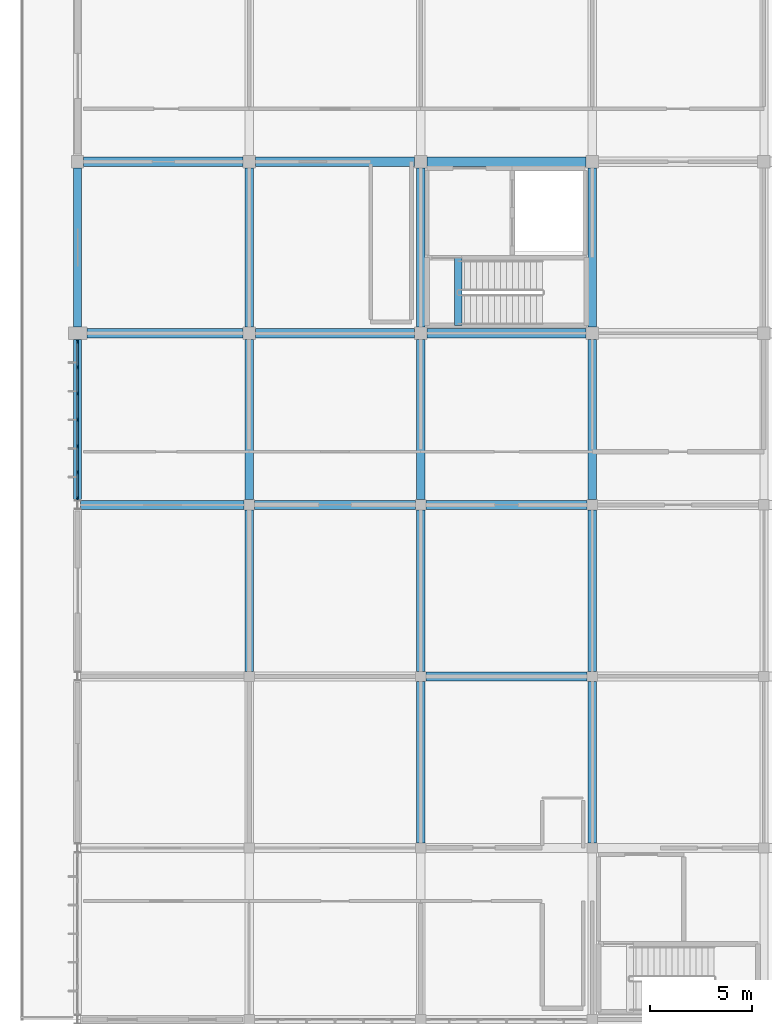
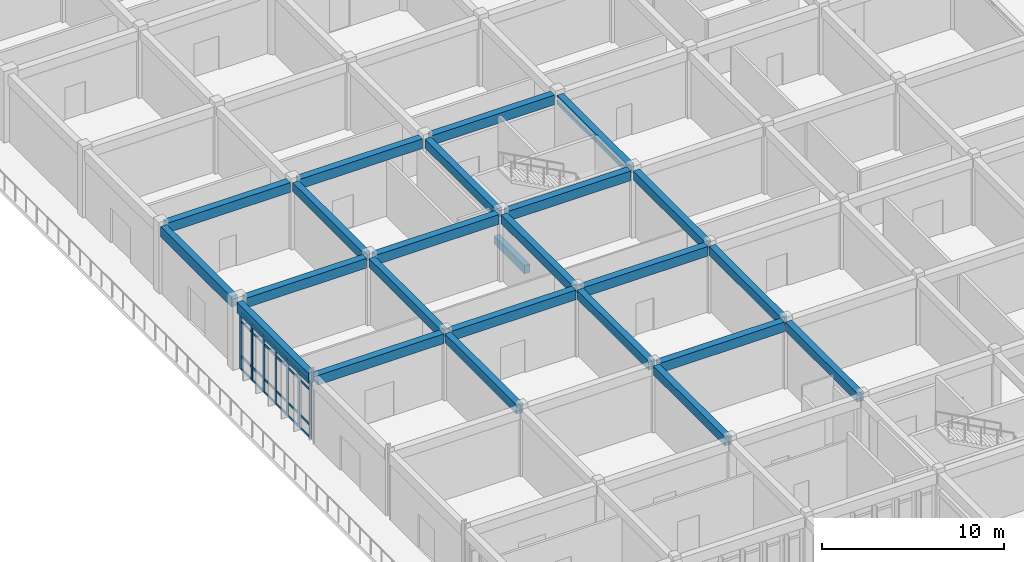
# One storey, part 16 of 138: 31 members, 24 beams, 1 element without a shape of its own.
"""IFC4 building model written with IfcOpenShell, lengths in metres."""

import ifcopenshell
import ifcopenshell.guid

model = None  # the IFC model being written
_history = None  # IfcOwnerHistory: only IFC2X3 demands one
_inside = {}  # id of a spatial element -> (the spatial element, [elements in it])
_under = {}  # id of a project, library or spatial element -> (it, [spatial elements below it])
_declared = {}  # id of a project -> (the project, [libraries it declares])
_typed = {}  # id of a type object -> (the type object, [elements of that type])
_made_of = {}  # id of a material, layer set ... -> (it, [elements and type objects made of it])


def new_model(schema):
    """Start an empty IFC model of exactly this schema.

    Asked for "IFC4X3", IfcOpenShell would pick the latest addendum, in which some entities
    have other attributes; the version numbers below select the first issue.
    IFC2X3 requires an IfcOwnerHistory on every rooted entity: one is made here for all.
    """
    global model, _history
    if schema == "IFC4X3":
        model = ifcopenshell.file(schema_version=(4, 3, 0, 0))
    else:
        model = ifcopenshell.file(schema=schema)
    _inside.clear()
    _under.clear()
    _declared.clear()
    _typed.clear()
    _made_of.clear()
    _history = None
    if model.schema == "IFC2X3":
        org = make("IfcOrganization", Name="unknown")
        user = make(
            "IfcPersonAndOrganization",
            ThePerson=make("IfcPerson", FamilyName="unknown"),
            TheOrganization=org,
        )
        app = make(
            "IfcApplication",
            ApplicationDeveloper=org,
            Version="unknown",
            ApplicationFullName="unknown",
            ApplicationIdentifier="unknown",
        )
        _history = make(
            "IfcOwnerHistory",
            OwningUser=user,
            OwningApplication=app,
            ChangeAction="ADDED",
            CreationDate=0,
        )
    return model


def make(cls, **values):
    """One entity of the class cls with the attributes given. An attribute that is None is left unset."""
    return model.create_entity(
        cls, **{name: value for name, value in values.items() if value is not None}
    )


def rooted(cls, **values):
    """An entity with a GlobalId (a new one), such as an element, a storey or a relation."""
    return make(cls, GlobalId=ifcopenshell.guid.new(), OwnerHistory=_history, **values)


def si_unit(unit_type, name, prefix=None):
    """IfcSIUnit, for example si_unit("LENGTHUNIT", "METRE", prefix="MILLI")."""
    return make("IfcSIUnit", UnitType=unit_type, Prefix=prefix, Name=name)


def assignment(units):
    """IfcUnitAssignment: the units of a project."""
    return None if units is None else make("IfcUnitAssignment", Units=units)


def point(xyz):
    """IfcCartesianPoint."""
    return None if xyz is None else make("IfcCartesianPoint", Coordinates=xyz)


def direction(xyz):
    """IfcDirection."""
    return None if xyz is None else make("IfcDirection", DirectionRatios=xyz)


def frame(location, z_axis=None, x_axis=None):
    """IfcAxis2Placement3D, a coordinate frame: its origin and axes. An axis left out is left unset."""
    return make(
        "IfcAxis2Placement3D",
        Location=point(location),
        Axis=direction(z_axis),
        RefDirection=direction(x_axis),
    )


def frame_2d(location, x_axis=None):
    """IfcAxis2Placement2D, a coordinate frame in the plane: its origin and x axis."""
    return make(
        "IfcAxis2Placement2D", Location=point(location), RefDirection=direction(x_axis)
    )


def origin():
    """The frame at (0, 0, 0) with its axes left unset."""
    return frame((0.0, 0.0, 0.0))


def origin_2d():
    """The frame at (0, 0) in the plane with its x axis left unset."""
    return frame_2d((0.0, 0.0))


def place(relative_to, where):
    """IfcLocalPlacement: puts the frame where relative to a parent placement (None: the world)."""
    return make(
        "IfcLocalPlacement", PlacementRelTo=relative_to, RelativePlacement=where
    )


def context(
    kind, dimensions, precision=None, world=None, true_north=None, identifier=None
):
    """IfcGeometricRepresentationContext, for example the 3D "Model" context."""
    return make(
        "IfcGeometricRepresentationContext",
        ContextIdentifier=identifier,
        ContextType=kind,
        CoordinateSpaceDimension=dimensions,
        Precision=precision,
        WorldCoordinateSystem=world,
        TrueNorth=true_north,
    )


def subcontext(parent, identifier, kind, view, scale=None):
    """IfcGeometricRepresentationSubContext, for example "Body" below "Model"."""
    return make(
        "IfcGeometricRepresentationSubContext",
        ContextIdentifier=identifier,
        ContextType=kind,
        ParentContext=parent,
        TargetScale=scale,
        TargetView=view,
    )


def project(units=None, contexts=None):
    """IfcProject with its units and contexts."""
    return rooted(
        "IfcProject",
        Name="project",
        RepresentationContexts=contexts,
        UnitsInContext=assignment(units),
    )


def spatial(cls, under=None, at=None, **own):
    """A site, building, storey or space (cls), placed at a placement, below another one or the project."""
    s = rooted(cls, ObjectPlacement=at, **own)
    if under is not None:
        _under.setdefault(under.id(), (under, []))[1].append(s)
    return s


def profile(cls, at=None, kind="AREA", **sizes):
    """A parametric profile (cls). Its sizes go by their IFC names, for example OverallWidth=200.0."""
    return make(cls, ProfileType=kind, Position=at, **sizes)


def rectangle(**sizes):
    """IfcRectangleProfileDef."""
    return profile("IfcRectangleProfileDef", **sizes)


def extrude(swept, where, along, depth):
    """IfcExtrudedAreaSolid: the profile swept, set in the frame where, extruded along a direction by depth."""
    return make(
        "IfcExtrudedAreaSolid",
        SweptArea=swept,
        Position=where,
        ExtrudedDirection=direction(along),
        Depth=depth,
    )


def shape(context_of_items, identifier, shape_type, items):
    """IfcShapeRepresentation: the items that make up one representation, for example the "Body"."""
    return make(
        "IfcShapeRepresentation",
        ContextOfItems=context_of_items,
        RepresentationIdentifier=identifier,
        RepresentationType=shape_type,
        Items=items,
    )


def material(Name=None, Category=None):
    """IfcMaterial."""
    return make("IfcMaterial", Name=Name, Category=Category)


def layer(
    of_material, thickness, ventilated=None, Name=None, Category=None, Priority=None
):
    """IfcMaterialLayer: one layer of a wall or slab, of a material (None: an air gap)."""
    return make(
        "IfcMaterialLayer",
        Material=of_material,
        LayerThickness=thickness,
        IsVentilated=ventilated,
        Name=Name,
        Category=Category,
        Priority=Priority,
    )


def layer_set(layers, Name=None):
    """IfcMaterialLayerSet."""
    return make("IfcMaterialLayerSet", MaterialLayers=layers, LayerSetName=Name)


def material_profile(
    of_material, cross_section, Name=None, Category=None, Priority=None
):
    """IfcMaterialProfile: a cross section and its material."""
    return make(
        "IfcMaterialProfile",
        Name=Name,
        Material=of_material,
        Profile=cross_section,
        Priority=Priority,
        Category=Category,
    )


def profile_set(profiles, Name=None, composite=None):
    """IfcMaterialProfileSet."""
    return make(
        "IfcMaterialProfileSet",
        Name=Name,
        MaterialProfiles=profiles,
        CompositeProfile=composite,
    )


def made_of(thing, what):
    """Note that an element or type object is made of a material, layer set ...; save() writes the relation."""
    if what is not None:
        _made_of.setdefault(what.id(), (what, []))[1].append(thing)
    return thing


def type_object(cls, material=None, **own):
    """A type object (cls), such as IfcWallType, which elements share."""
    return made_of(rooted(cls, **own), material)


def element(
    cls,
    number,
    at=None,
    inside=None,
    cuts=None,
    type_object=None,
    material=None,
    context=None,
    identifier="Body",
    shape_type=None,
    held_by="IfcProductDefinitionShape",
    body=None,
    shapes=None,
    **own,
):
    """One element of the class cls, such as IfcWall. Its Tag is "e" and its number.

    at: its placement. inside: the storey or other place that contains it. cuts: it is an
    opening in that element (IfcRelVoidsElement). A single representation is given by context,
    identifier, shape_type and body (its items); several are given by shapes. held_by: the class
    of the entity that holds the representations. save() writes the other relations.
    """
    e = rooted(cls, Tag="e%d" % number, ObjectPlacement=at, **own)
    if body is not None:
        shapes = [shape(context, identifier, shape_type, body)]
    if shapes is not None:
        e.Representation = make(held_by, Representations=shapes)
    if inside is not None:
        _inside.setdefault(inside.id(), (inside, []))[1].append(e)
    if cuts is not None:
        rooted(
            "IfcRelVoidsElement", RelatingBuildingElement=cuts, RelatedOpeningElement=e
        )
    if type_object is not None:
        _typed.setdefault(type_object.id(), (type_object, []))[1].append(e)
    return made_of(e, material)


def aggregate(whole, parts):
    """IfcRelAggregates: a whole, such as a stair, and the parts it consists of."""
    return rooted("IfcRelAggregates", RelatingObject=whole, RelatedObjects=parts)


def save(model, path):
    """Write the relations noted so far, then the file.

    IfcRelAggregates (storeys below a building ...), IfcRelContainedInSpatialStructure (elements
    in a storey), IfcRelDefinesByType, IfcRelAssociatesMaterial and IfcRelDeclares: one each for
    every whole, place, type object, material and project.
    """
    for whole, parts in _under.values():
        aggregate(whole, parts)
    for where, things in _inside.values():
        rooted(
            "IfcRelContainedInSpatialStructure",
            RelatedElements=things,
            RelatingStructure=where,
        )
    for kind, things in _typed.values():
        rooted("IfcRelDefinesByType", RelatedObjects=things, RelatingType=kind)
    for what, things in _made_of.values():
        rooted("IfcRelAssociatesMaterial", RelatedObjects=things, RelatingMaterial=what)
    for by, libraries in _declared.values():
        rooted("IfcRelDeclares", RelatingContext=by, RelatedDefinitions=libraries)
    model.write(path)


model = new_model("IFC4")

# Units and contexts
model_context = context("Model", 3, precision=1e-05, world=origin(), true_north=direction((0.0, 1.0)))
body_context = subcontext(model_context, "Body", "Model", "MODEL_VIEW")
ifc_project = project(units=[si_unit("LENGTHUNIT", "METRE"), si_unit("AREAUNIT", "SQUARE_METRE"), si_unit("VOLUMEUNIT", "CUBIC_METRE"), si_unit("PLANEANGLEUNIT", "RADIAN"), si_unit("MASSUNIT", "GRAM", prefix="KILO")], contexts=[model_context])

# Site, building, storey
site_placement = place(None, origin())
site = spatial("IfcSite", under=ifc_project, at=site_placement, CompositionType="ELEMENT")
building_placement = place(site_placement, origin())
building = spatial("IfcBuilding", under=site, at=building_placement, Name="Bramfleet General Hospital", CompositionType="ELEMENT")
storey_placement = place(building_placement, origin())
storey = spatial("IfcBuildingStorey", under=building, at=storey_placement, Name="L00", CompositionType="ELEMENT", Elevation=0.0)

# Beams
ifc_material_1 = material(Name="Concrete C35/45", Category="concrete")
ifc_material_profile_1 = material_profile(ifc_material_1, rectangle(XDim=0.35009765625, YDim=0.550048828125, at=origin_2d()), Name="RC BM 550x350")
ifc_profile_set_1 = profile_set([ifc_material_profile_1], Name="Concrete C35/45")
beam_type_1 = type_object("IfcBeamType", Name="BM-RC550", PredefinedType="BEAM", material=ifc_profile_set_1)
beam_1_placement = place(storey_placement, frame((18.639892578125, 50.780029296875, -0.27490234375), z_axis=(0.0, 1.0, 0.0), x_axis=(-1.0, 0.0, 0.0)))
element("IfcBeam", 1, at=beam_1_placement, inside=storey, type_object=beam_type_1, Name="L00 C2 Stairwell Trimmer Beam", PredefinedType="BEAM", context=body_context, shape_type="SweptSolid", body=[
    extrude(rectangle(XDim=0.35009765625, YDim=0.550048828125, at=origin_2d()), origin(), (0.0, 0.0, 1.0), 3.320068359375),
])
ifc_material_profile_2 = material_profile(ifc_material_1, rectangle(XDim=0.39990234375, YDim=0.60009765625, at=origin_2d()), Name="RC BM 600x400")
ifc_profile_set_2 = profile_set([ifc_material_profile_2], Name="Concrete C35/45")
beam_type_2 = type_object("IfcBeamType", Name="BM-RC600", PredefinedType="BEAM", material=ifc_profile_set_2)
beam_2_placement = place(storey_placement, frame((8.39990234375, 33.85009765625, 4.199951171875), z_axis=(0.0, 1.0, 0.0), x_axis=(-1.0, 0.0, 0.0)))
element("IfcBeam", 2, at=beam_2_placement, inside=storey, type_object=beam_type_2, Name="L00 Grid Beam Y 01-04", PredefinedType="BEAM", context=body_context, shape_type="SweptSolid", body=[
    extrude(rectangle(XDim=0.39990234375, YDim=0.60009765625, at=origin_2d()), origin(), (0.0, 0.0, 1.0), 7.89990234375),
])
beam_3_placement = place(storey_placement, frame((8.39990234375, 42.25, 4.199951171875), z_axis=(0.0, 1.0, 0.0), x_axis=(-1.0, 0.0, 0.0)))
element("IfcBeam", 3, at=beam_3_placement, inside=storey, type_object=beam_type_2, Name="L00 Grid Beam Y 01-05", PredefinedType="BEAM", context=body_context, shape_type="SweptSolid", body=[
    extrude(rectangle(XDim=0.39990234375, YDim=0.60009765625, at=origin_2d()), origin(), (0.0, 0.0, 1.0), 7.85009765625),
])
beam_4_placement = place(storey_placement, frame((8.39990234375, 50.699951171875, 4.199951171875), z_axis=(0.0, 1.0, 0.0), x_axis=(-1.0, 0.0, 0.0)))
element("IfcBeam", 4, at=beam_4_placement, inside=storey, type_object=beam_type_2, Name="L00 Grid Beam Y 01-06", PredefinedType="BEAM", context=body_context, shape_type="SweptSolid", body=[
    extrude(rectangle(XDim=0.39990234375, YDim=0.60009765625, at=origin_2d()), origin(), (0.0, 0.0, 1.0), 7.800048828125),
])
beam_5_placement = place(storey_placement, frame((16.800048828125, 25.449951171875, 4.199951171875), z_axis=(0.0, 1.0, 0.0), x_axis=(-1.0, 0.0, 0.0)))
element("IfcBeam", 5, at=beam_5_placement, inside=storey, type_object=beam_type_2, Name="L00 Grid Beam Y 02-03", PredefinedType="BEAM", context=body_context, shape_type="SweptSolid", body=[
    extrude(rectangle(XDim=0.39990234375, YDim=0.60009765625, at=origin_2d()), origin(), (0.0, 0.0, 1.0), 7.900146484375),
])
beam_6_placement = place(storey_placement, frame((16.800048828125, 33.85009765625, 4.199951171875), z_axis=(0.0, 1.0, 0.0), x_axis=(-1.0, 0.0, 0.0)))
element("IfcBeam", 6, at=beam_6_placement, inside=storey, type_object=beam_type_2, Name="L00 Grid Beam Y 02-04", PredefinedType="BEAM", context=body_context, shape_type="SweptSolid", body=[
    extrude(rectangle(XDim=0.39990234375, YDim=0.60009765625, at=origin_2d()), origin(), (0.0, 0.0, 1.0), 7.89990234375),
])
beam_7_placement = place(storey_placement, frame((16.800048828125, 42.25, 4.199951171875), z_axis=(0.0, 1.0, 0.0), x_axis=(-1.0, 0.0, 0.0)))
element("IfcBeam", 7, at=beam_7_placement, inside=storey, type_object=beam_type_2, Name="L00 Grid Beam Y 02-05", PredefinedType="BEAM", context=body_context, shape_type="SweptSolid", body=[
    extrude(rectangle(XDim=0.39990234375, YDim=0.60009765625, at=origin_2d()), origin(), (0.0, 0.0, 1.0), 7.85009765625),
])
beam_8_placement = place(storey_placement, frame((16.800048828125, 50.699951171875, 4.199951171875), z_axis=(0.0, 1.0, 0.0), x_axis=(-1.0, 0.0, 0.0)))
element("IfcBeam", 8, at=beam_8_placement, inside=storey, type_object=beam_type_2, Name="L00 Grid Beam Y 02-06", PredefinedType="BEAM", context=body_context, shape_type="SweptSolid", body=[
    extrude(rectangle(XDim=0.39990234375, YDim=0.60009765625, at=origin_2d()), origin(), (0.0, 0.0, 1.0), 7.800048828125),
])
beam_9_placement = place(storey_placement, frame((25.199951171875, 25.449951171875, 4.199951171875), z_axis=(0.0, 1.0, 0.0), x_axis=(-1.0, 0.0, 0.0)))
element("IfcBeam", 9, at=beam_9_placement, inside=storey, type_object=beam_type_2, Name="L00 Grid Beam Y 03-03", PredefinedType="BEAM", context=body_context, shape_type="SweptSolid", body=[
    extrude(rectangle(XDim=0.39990234375, YDim=0.60009765625, at=origin_2d()), origin(), (0.0, 0.0, 1.0), 7.900146484375),
])
beam_10_placement = place(storey_placement, frame((25.199951171875, 33.85009765625, 4.199951171875), z_axis=(0.0, 1.0, 0.0), x_axis=(-1.0, 0.0, 0.0)))
element("IfcBeam", 10, at=beam_10_placement, inside=storey, type_object=beam_type_2, Name="L00 Grid Beam Y 03-04", PredefinedType="BEAM", context=body_context, shape_type="SweptSolid", body=[
    extrude(rectangle(XDim=0.39990234375, YDim=0.60009765625, at=origin_2d()), origin(), (0.0, 0.0, 1.0), 7.89990234375),
])
beam_11_placement = place(storey_placement, frame((25.199951171875, 42.25, 4.199951171875), z_axis=(0.0, 1.0, 0.0), x_axis=(-1.0, 0.0, 0.0)))
element("IfcBeam", 11, at=beam_11_placement, inside=storey, type_object=beam_type_2, Name="L00 Grid Beam Y 03-05", PredefinedType="BEAM", context=body_context, shape_type="SweptSolid", body=[
    extrude(rectangle(XDim=0.39990234375, YDim=0.60009765625, at=origin_2d()), origin(), (0.0, 0.0, 1.0), 7.85009765625),
])
beam_12_placement = place(storey_placement, frame((25.199951171875, 50.699951171875, 4.199951171875), z_axis=(0.0, 1.0, 0.0), x_axis=(-1.0, 0.0, 0.0)))
element("IfcBeam", 12, at=beam_12_placement, inside=storey, type_object=beam_type_2, Name="L00 Grid Beam Y 03-06", PredefinedType="BEAM", context=body_context, shape_type="SweptSolid", body=[
    extrude(rectangle(XDim=0.39990234375, YDim=0.60009765625, at=origin_2d()), origin(), (0.0, 0.0, 1.0), 7.800048828125),
])
ifc_material_profile_3 = material_profile(ifc_material_1, rectangle(XDim=0.449951171875, YDim=0.64990234375, at=origin_2d()), Name="RC BM 650x450")
ifc_profile_set_3 = profile_set([ifc_material_profile_3], Name="Concrete C35/45")
beam_type_3 = type_object("IfcBeamType", Name="BM-RC650", PredefinedType="BEAM", material=ifc_profile_set_3)
beam_13_placement = place(storey_placement, frame((0.14990234375, 42.0, 4.175048828125), z_axis=(1.0, 0.0, 0.0), x_axis=(0.0, 1.0, 0.0)))
element("IfcBeam", 13, at=beam_13_placement, inside=storey, type_object=beam_type_3, Name="L00 Grid Beam X 00-05", PredefinedType="BEAM", context=body_context, shape_type="SweptSolid", body=[
    extrude(rectangle(XDim=0.449951171875, YDim=0.64990234375, at=origin_2d()), origin(), (0.0, 0.0, 1.0), 8.0),
])
beam_14_placement = place(storey_placement, frame((0.449951171875, 50.39990234375, 4.175048828125), z_axis=(1.0, 0.0, 0.0), x_axis=(0.0, 1.0, 0.0)))
element("IfcBeam", 14, at=beam_14_placement, inside=storey, type_object=beam_type_3, Name="L00 Grid Beam X 00-06", PredefinedType="BEAM", context=body_context, shape_type="SweptSolid", body=[
    extrude(rectangle(XDim=0.449951171875, YDim=0.64990234375, at=origin_2d()), origin(), (0.0, 0.0, 1.0), 7.650146484375),
])
beam_15_placement = place(storey_placement, frame((0.300048828125, 58.800048828125, 4.175048828125), z_axis=(1.0, 0.0, 0.0), x_axis=(0.0, 1.0, 0.0)))
element("IfcBeam", 15, at=beam_15_placement, inside=storey, type_object=beam_type_3, Name="L00 Grid Beam X 00-07", PredefinedType="BEAM", context=body_context, shape_type="SweptSolid", body=[
    extrude(rectangle(XDim=0.449951171875, YDim=0.64990234375, at=origin_2d()), origin(), (0.0, 0.0, 1.0), 7.800048828125),
])
beam_16_placement = place(storey_placement, frame((8.64990234375, 42.0, 4.175048828125), z_axis=(1.0, 0.0, 0.0), x_axis=(0.0, 1.0, 0.0)))
element("IfcBeam", 16, at=beam_16_placement, inside=storey, type_object=beam_type_3, Name="L00 Grid Beam X 01-05", PredefinedType="BEAM", context=body_context, shape_type="SweptSolid", body=[
    extrude(rectangle(XDim=0.449951171875, YDim=0.64990234375, at=origin_2d()), origin(), (0.0, 0.0, 1.0), 7.900146484375),
])
for number, where, z_axis, x_axis, name in (
    (17, (8.699951171875, 50.39990234375, 4.175048828125), (1.0, 0.0, 0.0), (0.0, 1.0, 0.0), "L00 Grid Beam X 01-06"),
    (18, (8.699951171875, 58.800048828125, 4.175048828125), (1.0, 0.0, 0.0), (0.0, 1.0, 0.0), "L00 Grid Beam X 01-07"),
):
    element("IfcBeam", number, at=place(storey_placement, frame(where, z_axis=z_axis, x_axis=x_axis)), inside=storey, type_object=beam_type_3, Name=name, PredefinedType="BEAM", context=body_context, shape_type="SweptSolid", body=[
        extrude(rectangle(XDim=0.449951171875, YDim=0.64990234375, at=origin_2d()), origin(), (0.0, 0.0, 1.0), 7.800048828125),
    ])
for number, where, z_axis, x_axis, name in (
    (19, (17.050048828125, 33.60009765625, 4.175048828125), (1.0, 0.0, 0.0), (0.0, 1.0, 0.0), "L00 Grid Beam X 02-04"),
    (20, (17.050048828125, 42.0, 4.175048828125), (1.0, 0.0, 0.0), (0.0, 1.0, 0.0), "L00 Grid Beam X 02-05"),
):
    element("IfcBeam", number, at=place(storey_placement, frame(where, z_axis=z_axis, x_axis=x_axis)), inside=storey, type_object=beam_type_3, Name=name, PredefinedType="BEAM", context=body_context, shape_type="SweptSolid", body=[
        extrude(rectangle(XDim=0.449951171875, YDim=0.64990234375, at=origin_2d()), origin(), (0.0, 0.0, 1.0), 7.89990234375),
    ])
for number, where, z_axis, x_axis, name in (
    (21, (17.10009765625, 50.39990234375, 4.175048828125), (1.0, 0.0, 0.0), (0.0, 1.0, 0.0), "L00 Grid Beam X 02-06"),
    (22, (17.10009765625, 58.800048828125, 4.175048828125), (1.0, 0.0, 0.0), (0.0, 1.0, 0.0), "L00 Grid Beam X 02-07"),
):
    element("IfcBeam", number, at=place(storey_placement, frame(where, z_axis=z_axis, x_axis=x_axis)), inside=storey, type_object=beam_type_3, Name=name, PredefinedType="BEAM", context=body_context, shape_type="SweptSolid", body=[
        extrude(rectangle(XDim=0.449951171875, YDim=0.64990234375, at=origin_2d()), origin(), (0.0, 0.0, 1.0), 7.7998046875),
    ])
ifc_material_profile_4 = material_profile(ifc_material_1, rectangle(XDim=0.39990234375, YDim=0.699951171875, at=origin_2d()), Name="RC SP 700x400")
ifc_profile_set_4 = profile_set([ifc_material_profile_4], Name="Concrete C35/45")
beam_type_4 = type_object("IfcBeamType", Name="BM-SP700", PredefinedType="SPANDREL", material=ifc_profile_set_4)
beam_17_placement = place(storey_placement, frame((0.0, 42.22509765625, 4.14990234375), z_axis=(0.0, 1.0, 0.0), x_axis=(-1.0, 0.0, 0.0)))
element("IfcBeam", 23, at=beam_17_placement, inside=storey, type_object=beam_type_4, Name="L00 Grid Beam Y 00-05", PredefinedType="SPANDREL", context=body_context, shape_type="SweptSolid", body=[
    extrude(rectangle(XDim=0.39990234375, YDim=0.699951171875, at=origin_2d()), origin(), (0.0, 0.0, 1.0), 7.875),
])
beam_18_placement = place(storey_placement, frame((0.0, 50.699951171875, 4.14990234375), z_axis=(0.0, 1.0, 0.0), x_axis=(-1.0, 0.0, 0.0)))
element("IfcBeam", 24, at=beam_18_placement, inside=storey, type_object=beam_type_4, Name="L00 Grid Beam Y 00-06", PredefinedType="SPANDREL", context=body_context, shape_type="SweptSolid", body=[
    extrude(rectangle(XDim=0.39990234375, YDim=0.699951171875, at=origin_2d()), origin(), (0.0, 0.0, 1.0), 7.800048828125),
])

# Curtain wall, members
ifc_material_2 = material(Name="Anodised aluminium and low-E triple glazing", Category="aluminium")
ifc_layer = layer(ifc_material_2, 0.179931640625, Name="CWT-CW-01")
ifc_layer_set = layer_set([ifc_layer], Name="Anodised aluminium and low-E triple glazing")
curtain_wall_type = type_object("IfcCurtainWallType", Name="CWT-CW-01", PredefinedType="USERDEFINED", material=ifc_layer_set)
curtain_wall_placement = place(storey_placement, origin())
curtain_wall = element("IfcCurtainWall", 25, at=curtain_wall_placement, inside=storey, type_object=curtain_wall_type, Name="L00 Curtain Wall 1", ObjectType="Unitised curtain wall", PredefinedType="USERDEFINED")
ifc_material_3 = material(Name="Structural timber GL28h", Category="wood")
ifc_material_profile_5 = material_profile(ifc_material_3, rectangle(XDim=0.070068359375, YDim=0.18994140625, at=origin_2d()), Name="LARCH 190x70")
ifc_profile_set_5 = profile_set([ifc_material_profile_5], Name="Structural timber GL28h")
member_type_1 = type_object("IfcMemberType", Name="CWM-LARCH450", PredefinedType="MULLION", material=ifc_profile_set_5)
member_1_placement = place(storey_placement, frame((0.0, 42.3349609375, 0.0), z_axis=(0.0, 0.0, 1.0), x_axis=(-1.0, 0.0, 0.0)))
member_1 = element("IfcMember", 26, at=member_1_placement, type_object=member_type_1, Name="CW-01 mullion 1", PredefinedType="MULLION", context=body_context, shape_type="SweptSolid", body=[
    extrude(rectangle(XDim=0.070068359375, YDim=0.18994140625, at=origin_2d()), origin(), (0.0, 0.0, 1.0), 3.7900390625),
])
member_2_placement = place(storey_placement, frame((0.0, 43.58740234375, 0.0), z_axis=(0.0, 0.0, 1.0), x_axis=(-1.0, 0.0, 0.0)))
member_2 = element("IfcMember", 27, at=member_2_placement, type_object=member_type_1, Name="CW-01 mullion 2", PredefinedType="MULLION", context=body_context, shape_type="SweptSolid", body=[
    extrude(rectangle(XDim=0.070068359375, YDim=0.18994140625, at=origin_2d()), origin(), (0.0, 0.0, 1.0), 3.7900390625),
])
member_3_placement = place(storey_placement, frame((0.0, 44.875, 0.0), z_axis=(0.0, 0.0, 1.0), x_axis=(-1.0, 0.0, 0.0)))
member_3 = element("IfcMember", 28, at=member_3_placement, type_object=member_type_1, Name="CW-01 mullion 3", PredefinedType="MULLION", context=body_context, shape_type="SweptSolid", body=[
    extrude(rectangle(XDim=0.070068359375, YDim=0.18994140625, at=origin_2d()), origin(), (0.0, 0.0, 1.0), 3.7900390625),
])
member_4_placement = place(storey_placement, frame((0.0, 46.16259765625, 0.0), z_axis=(0.0, 0.0, 1.0), x_axis=(-1.0, 0.0, 0.0)))
member_4 = element("IfcMember", 29, at=member_4_placement, type_object=member_type_1, Name="CW-01 mullion 4", PredefinedType="MULLION", context=body_context, shape_type="SweptSolid", body=[
    extrude(rectangle(XDim=0.070068359375, YDim=0.18994140625, at=origin_2d()), origin(), (0.0, 0.0, 1.0), 3.7900390625),
])
member_5_placement = place(storey_placement, frame((0.0, 47.449951171875, 0.0), z_axis=(0.0, 0.0, 1.0), x_axis=(-1.0, 0.0, 0.0)))
member_5 = element("IfcMember", 30, at=member_5_placement, type_object=member_type_1, Name="CW-01 mullion 5", PredefinedType="MULLION", context=body_context, shape_type="SweptSolid", body=[
    extrude(rectangle(XDim=0.070068359375, YDim=0.18994140625, at=origin_2d()), origin(), (0.0, 0.0, 1.0), 3.7900390625),
])
member_6_placement = place(storey_placement, frame((0.0, 48.737548828125, 0.0), z_axis=(0.0, 0.0, 1.0), x_axis=(-1.0, 0.0, 0.0)))
member_6 = element("IfcMember", 31, at=member_6_placement, type_object=member_type_1, Name="CW-01 mullion 6", PredefinedType="MULLION", context=body_context, shape_type="SweptSolid", body=[
    extrude(rectangle(XDim=0.070068359375, YDim=0.18994140625, at=origin_2d()), origin(), (0.0, 0.0, 1.0), 3.7900390625),
])
member_7_placement = place(storey_placement, frame((0.0, 49.989990234375, 0.0), z_axis=(0.0, 0.0, 1.0), x_axis=(-1.0, 0.0, 0.0)))
member_7 = element("IfcMember", 32, at=member_7_placement, type_object=member_type_1, Name="CW-01 mullion 7", PredefinedType="MULLION", context=body_context, shape_type="SweptSolid", body=[
    extrude(rectangle(XDim=0.070068359375, YDim=0.18994140625, at=origin_2d()), origin(), (0.0, 0.0, 1.0), 3.7900390625),
])
ifc_material_profile_6 = material_profile(ifc_material_3, rectangle(XDim=0.06494140625, YDim=0.14990234375, at=origin_2d()), Name="LARCH 150x65")
ifc_profile_set_6 = profile_set([ifc_material_profile_6], Name="Structural timber GL28h")
member_type_2 = type_object("IfcMemberType", Name="CWT-LARCH220", PredefinedType="USERDEFINED", material=ifc_profile_set_6)
member_8_placement = place(storey_placement, frame((0.0, 42.3701171875, 0.032470703125), z_axis=(0.0, 1.0, 0.0), x_axis=(-1.0, 0.0, 0.0)))
member_8 = element("IfcMember", 33, at=member_8_placement, type_object=member_type_2, Name="CW-01 transom 1.1", ObjectType="TRANSOM", PredefinedType="USERDEFINED", context=body_context, shape_type="SweptSolid", body=[
    extrude(rectangle(XDim=0.06494140625, YDim=0.14990234375, at=origin_2d()), origin(), (0.0, 0.0, 1.0), 1.182373046875),
])
member_9_placement = place(storey_placement, frame((0.0, 42.3701171875, 0.89990234375), z_axis=(0.0, 1.0, 0.0), x_axis=(-1.0, 0.0, 0.0)))
member_9 = element("IfcMember", 34, at=member_9_placement, type_object=member_type_2, Name="CW-01 transom 1.2", ObjectType="TRANSOM", PredefinedType="USERDEFINED", context=body_context, shape_type="SweptSolid", body=[
    extrude(rectangle(XDim=0.06494140625, YDim=0.14990234375, at=origin_2d()), origin(), (0.0, 0.0, 1.0), 1.182373046875),
])
member_10_placement = place(storey_placement, frame((0.0, 42.3701171875, 3.239990234375), z_axis=(0.0, 1.0, 0.0), x_axis=(-1.0, 0.0, 0.0)))
member_10 = element("IfcMember", 35, at=member_10_placement, type_object=member_type_2, Name="CW-01 transom 1.3", ObjectType="TRANSOM", PredefinedType="USERDEFINED", context=body_context, shape_type="SweptSolid", body=[
    extrude(rectangle(XDim=0.06494140625, YDim=0.14990234375, at=origin_2d()), origin(), (0.0, 0.0, 1.0), 1.182373046875),
])
member_11_placement = place(storey_placement, frame((0.0, 42.3701171875, 3.757568359375), z_axis=(0.0, 1.0, 0.0), x_axis=(-1.0, 0.0, 0.0)))
member_11 = element("IfcMember", 36, at=member_11_placement, type_object=member_type_2, Name="CW-01 transom 1.4", ObjectType="TRANSOM", PredefinedType="USERDEFINED", context=body_context, shape_type="SweptSolid", body=[
    extrude(rectangle(XDim=0.06494140625, YDim=0.14990234375, at=origin_2d()), origin(), (0.0, 0.0, 1.0), 1.182373046875),
])
member_12_placement = place(storey_placement, frame((0.0, 43.62255859375, 0.032470703125), z_axis=(0.0, 1.0, 0.0), x_axis=(-1.0, 0.0, 0.0)))
member_12 = element("IfcMember", 37, at=member_12_placement, type_object=member_type_2, Name="CW-01 transom 2.1", ObjectType="TRANSOM", PredefinedType="USERDEFINED", context=body_context, shape_type="SweptSolid", body=[
    extrude(rectangle(XDim=0.06494140625, YDim=0.14990234375, at=origin_2d()), origin(), (0.0, 0.0, 1.0), 1.217529296875),
])
member_13_placement = place(storey_placement, frame((0.0, 43.62255859375, 0.89990234375), z_axis=(0.0, 1.0, 0.0), x_axis=(-1.0, 0.0, 0.0)))
member_13 = element("IfcMember", 38, at=member_13_placement, type_object=member_type_2, Name="CW-01 transom 2.2", ObjectType="TRANSOM", PredefinedType="USERDEFINED", context=body_context, shape_type="SweptSolid", body=[
    extrude(rectangle(XDim=0.06494140625, YDim=0.14990234375, at=origin_2d()), origin(), (0.0, 0.0, 1.0), 1.217529296875),
])
member_14_placement = place(storey_placement, frame((0.0, 43.62255859375, 3.239990234375), z_axis=(0.0, 1.0, 0.0), x_axis=(-1.0, 0.0, 0.0)))
member_14 = element("IfcMember", 39, at=member_14_placement, type_object=member_type_2, Name="CW-01 transom 2.3", ObjectType="TRANSOM", PredefinedType="USERDEFINED", context=body_context, shape_type="SweptSolid", body=[
    extrude(rectangle(XDim=0.06494140625, YDim=0.14990234375, at=origin_2d()), origin(), (0.0, 0.0, 1.0), 1.217529296875),
])
member_15_placement = place(storey_placement, frame((0.0, 43.62255859375, 3.757568359375), z_axis=(0.0, 1.0, 0.0), x_axis=(-1.0, 0.0, 0.0)))
member_15 = element("IfcMember", 40, at=member_15_placement, type_object=member_type_2, Name="CW-01 transom 2.4", ObjectType="TRANSOM", PredefinedType="USERDEFINED", context=body_context, shape_type="SweptSolid", body=[
    extrude(rectangle(XDim=0.06494140625, YDim=0.14990234375, at=origin_2d()), origin(), (0.0, 0.0, 1.0), 1.217529296875),
])
member_16_placement = place(storey_placement, frame((0.0, 44.909912109375, 0.032470703125), z_axis=(0.0, 1.0, 0.0), x_axis=(-1.0, 0.0, 0.0)))
member_16 = element("IfcMember", 41, at=member_16_placement, type_object=member_type_2, Name="CW-01 transom 3.1", ObjectType="TRANSOM", PredefinedType="USERDEFINED", context=body_context, shape_type="SweptSolid", body=[
    extrude(rectangle(XDim=0.06494140625, YDim=0.14990234375, at=origin_2d()), origin(), (0.0, 0.0, 1.0), 1.217529296875),
])
member_17_placement = place(storey_placement, frame((0.0, 44.909912109375, 0.89990234375), z_axis=(0.0, 1.0, 0.0), x_axis=(-1.0, 0.0, 0.0)))
member_17 = element("IfcMember", 42, at=member_17_placement, type_object=member_type_2, Name="CW-01 transom 3.2", ObjectType="TRANSOM", PredefinedType="USERDEFINED", context=body_context, shape_type="SweptSolid", body=[
    extrude(rectangle(XDim=0.06494140625, YDim=0.14990234375, at=origin_2d()), origin(), (0.0, 0.0, 1.0), 1.217529296875),
])
member_18_placement = place(storey_placement, frame((0.0, 44.909912109375, 3.239990234375), z_axis=(0.0, 1.0, 0.0), x_axis=(-1.0, 0.0, 0.0)))
member_18 = element("IfcMember", 43, at=member_18_placement, type_object=member_type_2, Name="CW-01 transom 3.3", ObjectType="TRANSOM", PredefinedType="USERDEFINED", context=body_context, shape_type="SweptSolid", body=[
    extrude(rectangle(XDim=0.06494140625, YDim=0.14990234375, at=origin_2d()), origin(), (0.0, 0.0, 1.0), 1.217529296875),
])
member_19_placement = place(storey_placement, frame((0.0, 44.909912109375, 3.757568359375), z_axis=(0.0, 1.0, 0.0), x_axis=(-1.0, 0.0, 0.0)))
member_19 = element("IfcMember", 44, at=member_19_placement, type_object=member_type_2, Name="CW-01 transom 3.4", ObjectType="TRANSOM", PredefinedType="USERDEFINED", context=body_context, shape_type="SweptSolid", body=[
    extrude(rectangle(XDim=0.06494140625, YDim=0.14990234375, at=origin_2d()), origin(), (0.0, 0.0, 1.0), 1.217529296875),
])
member_20_placement = place(storey_placement, frame((0.0, 46.197509765625, 0.032470703125), z_axis=(0.0, 1.0, 0.0), x_axis=(-1.0, 0.0, 0.0)))
member_20 = element("IfcMember", 45, at=member_20_placement, type_object=member_type_2, Name="CW-01 transom 4.1", ObjectType="TRANSOM", PredefinedType="USERDEFINED", context=body_context, shape_type="SweptSolid", body=[
    extrude(rectangle(XDim=0.06494140625, YDim=0.14990234375, at=origin_2d()), origin(), (0.0, 0.0, 1.0), 1.217529296875),
])
member_21_placement = place(storey_placement, frame((0.0, 46.197509765625, 0.89990234375), z_axis=(0.0, 1.0, 0.0), x_axis=(-1.0, 0.0, 0.0)))
member_21 = element("IfcMember", 46, at=member_21_placement, type_object=member_type_2, Name="CW-01 transom 4.2", ObjectType="TRANSOM", PredefinedType="USERDEFINED", context=body_context, shape_type="SweptSolid", body=[
    extrude(rectangle(XDim=0.06494140625, YDim=0.14990234375, at=origin_2d()), origin(), (0.0, 0.0, 1.0), 1.217529296875),
])
member_22_placement = place(storey_placement, frame((0.0, 46.197509765625, 3.239990234375), z_axis=(0.0, 1.0, 0.0), x_axis=(-1.0, 0.0, 0.0)))
member_22 = element("IfcMember", 47, at=member_22_placement, type_object=member_type_2, Name="CW-01 transom 4.3", ObjectType="TRANSOM", PredefinedType="USERDEFINED", context=body_context, shape_type="SweptSolid", body=[
    extrude(rectangle(XDim=0.06494140625, YDim=0.14990234375, at=origin_2d()), origin(), (0.0, 0.0, 1.0), 1.217529296875),
])
member_23_placement = place(storey_placement, frame((0.0, 46.197509765625, 3.757568359375), z_axis=(0.0, 1.0, 0.0), x_axis=(-1.0, 0.0, 0.0)))
member_23 = element("IfcMember", 48, at=member_23_placement, type_object=member_type_2, Name="CW-01 transom 4.4", ObjectType="TRANSOM", PredefinedType="USERDEFINED", context=body_context, shape_type="SweptSolid", body=[
    extrude(rectangle(XDim=0.06494140625, YDim=0.14990234375, at=origin_2d()), origin(), (0.0, 0.0, 1.0), 1.217529296875),
])
member_24_placement = place(storey_placement, frame((0.0, 47.485107421875, 0.032470703125), z_axis=(0.0, 1.0, 0.0), x_axis=(-1.0, 0.0, 0.0)))
member_24 = element("IfcMember", 49, at=member_24_placement, type_object=member_type_2, Name="CW-01 transom 5.1", ObjectType="TRANSOM", PredefinedType="USERDEFINED", context=body_context, shape_type="SweptSolid", body=[
    extrude(rectangle(XDim=0.06494140625, YDim=0.14990234375, at=origin_2d()), origin(), (0.0, 0.0, 1.0), 1.21728515625),
])
member_25_placement = place(storey_placement, frame((0.0, 47.485107421875, 0.89990234375), z_axis=(0.0, 1.0, 0.0), x_axis=(-1.0, 0.0, 0.0)))
member_25 = element("IfcMember", 50, at=member_25_placement, type_object=member_type_2, Name="CW-01 transom 5.2", ObjectType="TRANSOM", PredefinedType="USERDEFINED", context=body_context, shape_type="SweptSolid", body=[
    extrude(rectangle(XDim=0.06494140625, YDim=0.14990234375, at=origin_2d()), origin(), (0.0, 0.0, 1.0), 1.21728515625),
])
member_26_placement = place(storey_placement, frame((0.0, 47.485107421875, 3.239990234375), z_axis=(0.0, 1.0, 0.0), x_axis=(-1.0, 0.0, 0.0)))
member_26 = element("IfcMember", 51, at=member_26_placement, type_object=member_type_2, Name="CW-01 transom 5.3", ObjectType="TRANSOM", PredefinedType="USERDEFINED", context=body_context, shape_type="SweptSolid", body=[
    extrude(rectangle(XDim=0.06494140625, YDim=0.14990234375, at=origin_2d()), origin(), (0.0, 0.0, 1.0), 1.21728515625),
])
member_27_placement = place(storey_placement, frame((0.0, 47.485107421875, 3.757568359375), z_axis=(0.0, 1.0, 0.0), x_axis=(-1.0, 0.0, 0.0)))
member_27 = element("IfcMember", 52, at=member_27_placement, type_object=member_type_2, Name="CW-01 transom 5.4", ObjectType="TRANSOM", PredefinedType="USERDEFINED", context=body_context, shape_type="SweptSolid", body=[
    extrude(rectangle(XDim=0.06494140625, YDim=0.14990234375, at=origin_2d()), origin(), (0.0, 0.0, 1.0), 1.21728515625),
])
member_28_placement = place(storey_placement, frame((0.0, 48.7724609375, 0.032470703125), z_axis=(0.0, 1.0, 0.0), x_axis=(-1.0, 0.0, 0.0)))
member_28 = element("IfcMember", 53, at=member_28_placement, type_object=member_type_2, Name="CW-01 transom 6.1", ObjectType="TRANSOM", PredefinedType="USERDEFINED", context=body_context, shape_type="SweptSolid", body=[
    extrude(rectangle(XDim=0.06494140625, YDim=0.14990234375, at=origin_2d()), origin(), (0.0, 0.0, 1.0), 1.1826171875),
])
member_29_placement = place(storey_placement, frame((0.0, 48.7724609375, 0.89990234375), z_axis=(0.0, 1.0, 0.0), x_axis=(-1.0, 0.0, 0.0)))
member_29 = element("IfcMember", 54, at=member_29_placement, type_object=member_type_2, Name="CW-01 transom 6.2", ObjectType="TRANSOM", PredefinedType="USERDEFINED", context=body_context, shape_type="SweptSolid", body=[
    extrude(rectangle(XDim=0.06494140625, YDim=0.14990234375, at=origin_2d()), origin(), (0.0, 0.0, 1.0), 1.1826171875),
])
member_30_placement = place(storey_placement, frame((0.0, 48.7724609375, 3.239990234375), z_axis=(0.0, 1.0, 0.0), x_axis=(-1.0, 0.0, 0.0)))
member_30 = element("IfcMember", 55, at=member_30_placement, type_object=member_type_2, Name="CW-01 transom 6.3", ObjectType="TRANSOM", PredefinedType="USERDEFINED", context=body_context, shape_type="SweptSolid", body=[
    extrude(rectangle(XDim=0.06494140625, YDim=0.14990234375, at=origin_2d()), origin(), (0.0, 0.0, 1.0), 1.1826171875),
])
member_31_placement = place(storey_placement, frame((0.0, 48.7724609375, 3.757568359375), z_axis=(0.0, 1.0, 0.0), x_axis=(-1.0, 0.0, 0.0)))
member_31 = element("IfcMember", 56, at=member_31_placement, type_object=member_type_2, Name="CW-01 transom 6.4", ObjectType="TRANSOM", PredefinedType="USERDEFINED", context=body_context, shape_type="SweptSolid", body=[
    extrude(rectangle(XDim=0.06494140625, YDim=0.14990234375, at=origin_2d()), origin(), (0.0, 0.0, 1.0), 1.1826171875),
])
aggregate(curtain_wall, [member_1, member_2, member_3, member_4, member_5, member_6, member_7, member_8, member_9, member_10, member_11, member_12, member_13, member_14, member_15, member_16, member_17, member_18, member_19, member_20, member_21, member_22, member_23, member_24, member_25, member_26, member_27, member_28, member_29, member_30, member_31])

save(model, "model.ifc")
